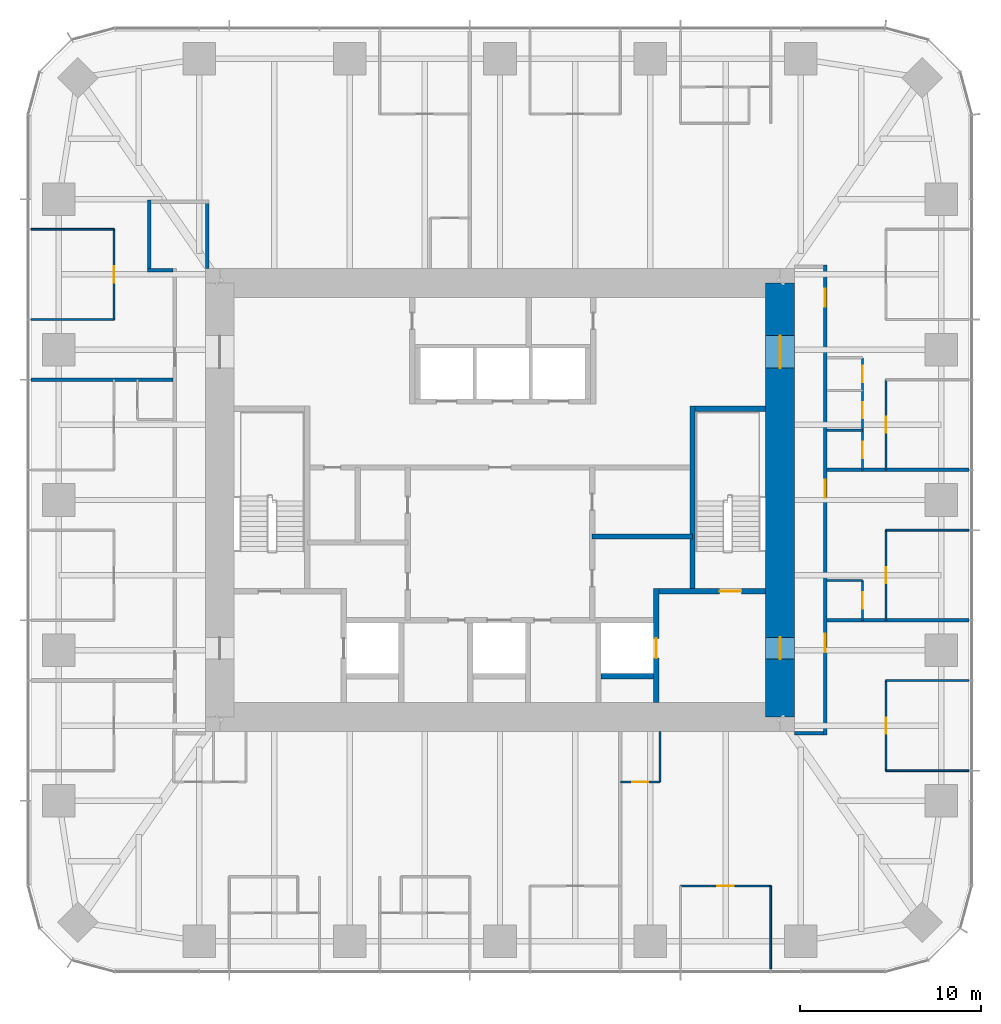
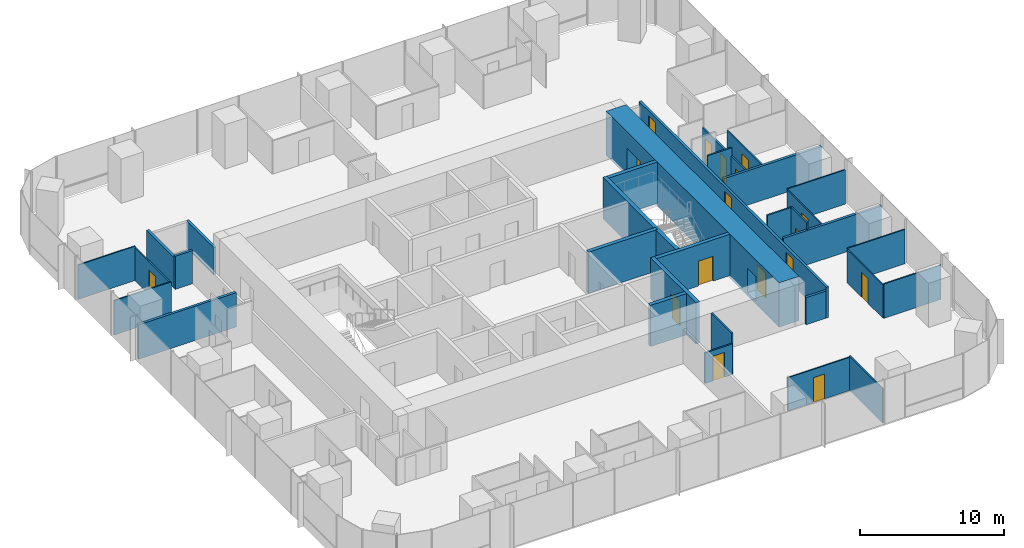
# One storey, part 10 of 12: 32 walls, 17 doors, 17 openings.
"""IFC4 building model written with IfcOpenShell, lengths in metres."""

from ifc_helpers import new_model, si_unit, direction, frame, frame_2d, origin, place, context, subcontext, project, spatial, rectangle, extrude, material, layer, layer_set, type_object, element, fill, save


model = new_model("IFC4")

# Units and contexts
model_context = context("Model", 3, precision=1e-05, world=origin(), true_north=direction((0.0, 1.0)))
body_context = subcontext(model_context, "Body", "Model", "MODEL_VIEW")
ifc_project = project(units=[si_unit("LENGTHUNIT", "METRE"), si_unit("AREAUNIT", "SQUARE_METRE"), si_unit("VOLUMEUNIT", "CUBIC_METRE"), si_unit("PLANEANGLEUNIT", "RADIAN"), si_unit("MASSUNIT", "GRAM", prefix="KILO")], contexts=[model_context])

# Site, building, storey
site_placement = place(None, origin())
site = spatial("IfcSite", under=ifc_project, at=site_placement, CompositionType="ELEMENT")
building_placement = place(site_placement, origin())
building = spatial("IfcBuilding", under=site, at=building_placement, Name="Khuree Lantern Residences", CompositionType="ELEMENT")
storey_placement = place(building_placement, frame((0.0, 0.0, 233.25)))
storey = spatial("IfcBuildingStorey", under=building, at=storey_placement, Name="L58", CompositionType="ELEMENT", Elevation=233.25)

# Wall, opening, door
ifc_material_1 = material(Name="Moisture-resistant gypsum board on steel studs", Category="steel")
ifc_layer_1 = layer(ifc_material_1, 0.125)
ifc_layer_set_1 = layer_set([ifc_layer_1], Name="BATHROOM WALL BTW125")
wall_type_1 = type_object("IfcWallType", Name="BATHROOM WALL BTW125", PredefinedType="PARTITIONING", material=ifc_layer_set_1)
wall_1_placement = place(storey_placement, frame((20.050048828125, -6.656005859375, 0.0), z_axis=(0.0, 0.0, 1.0), x_axis=(0.0, 1.0, 0.0)))
wall_1 = element("IfcWall", 1, at=wall_1_placement, inside=storey, type_object=wall_type_1, Name="L58 BATHROOM WALL 01", PredefinedType="PARTITIONING", context=body_context, shape_type="SweptSolid", body=[
    extrude(rectangle(XDim=2.199951171875, YDim=0.125, at=frame_2d((1.10009765625, 0.0))), origin(), (0.0, 0.0, 1.0), 3.5),
])
opening_1_placement = place(wall_1_placement, frame((0.64990234375, 0.0, 0.0)))
opening_1 = element("IfcOpeningElement", 2, at=opening_1_placement, cuts=wall_1, Name="Opening 58-024", PredefinedType="OPENING", context=body_context, shape_type="SweptSolid", body=[
    extrude(rectangle(XDim=0.89990234375, YDim=2.10009765625, at=frame_2d((0.449951171875, 1.050048828125))), frame((0.0, 0.072509765625, 0.0), z_axis=(0.0, -1.0, 0.0), x_axis=(1.0, 0.0, 0.0)), (0.0, 0.0, 1.0), 0.14501953125),
])
ifc_material_2 = material(Name="Timber door leaf in hardwood frame", Category="wood")
door_type_1 = type_object("IfcDoorType", Name="BATHROOM DOOR 900X2100", OperationType="SINGLE_SWING_LEFT", PredefinedType="DOOR", material=ifc_material_2)
door_1_placement = place(opening_1_placement, origin())
door_1 = element("IfcDoor", 3, at=door_1_placement, inside=storey, type_object=door_type_1, Name="Bathroom door 58-024", OperationType="SINGLE_SWING_LEFT", OverallHeight=2.10009765625, OverallWidth=0.89990234375, PredefinedType="DOOR", context=body_context, shape_type="SweptSolid", body=[
    extrude(rectangle(XDim=0.89990234375, YDim=2.10009765625, at=frame_2d((0.449951171875, 1.050048828125))), frame((0.0, 0.02490234375, 0.0), z_axis=(0.0, -1.0, 0.0), x_axis=(1.0, 0.0, 0.0)), (0.0, 0.0, 1.0), 0.050048828125),
])
fill(opening_1, door_1)

# Wall
wall_2_placement = place(storey_placement, frame((18.10009765625, -4.4560546875, 0.0), z_axis=(0.0, 0.0, 1.0), x_axis=(1.0, 0.0, 0.0)))
element("IfcWall", 4, at=wall_2_placement, inside=storey, type_object=wall_type_1, Name="L58 BATHROOM WALL 01", PredefinedType="PARTITIONING", context=body_context, shape_type="SweptSolid", body=[
    extrude(rectangle(XDim=1.949951171875, YDim=0.125, at=frame_2d((0.97509765625, 0.0))), origin(), (0.0, 0.0, 1.0), 3.5),
])

# Wall, openings, doors
wall_3_placement = place(storey_placement, frame((20.050048828125, 1.6640625, 0.0), z_axis=(0.0, 0.0, 1.0), x_axis=(0.0, 1.0, 0.0)))
wall_3 = element("IfcWall", 5, at=wall_3_placement, inside=storey, type_object=wall_type_1, Name="L58 BATHROOM WALL 02", PredefinedType="PARTITIONING", context=body_context, shape_type="SweptSolid", body=[
    extrude(rectangle(XDim=6.199951171875, YDim=0.125, at=frame_2d((3.10009765625, 0.0))), origin(), (0.0, 0.0, 1.0), 2.81005859375),
])
opening_2_placement = place(wall_3_placement, frame((0.64990234375, 0.0, 0.0)))
opening_2 = element("IfcOpeningElement", 6, at=opening_2_placement, cuts=wall_3, Name="Opening 58-031", PredefinedType="OPENING", context=body_context, shape_type="SweptSolid", body=[
    extrude(rectangle(XDim=0.89990234375, YDim=2.10009765625, at=frame_2d((0.449951171875, 1.050048828125))), frame((0.0, 0.072509765625, 0.0), z_axis=(0.0, -1.0, 0.0), x_axis=(1.0, 0.0, 0.0)), (0.0, 0.0, 1.0), 0.14501953125),
])
opening_3_placement = place(wall_3_placement, frame((2.85009765625, 0.0, 0.0)))
opening_3 = element("IfcOpeningElement", 7, at=opening_3_placement, cuts=wall_3, Name="Opening 58-032", PredefinedType="OPENING", context=body_context, shape_type="SweptSolid", body=[
    extrude(rectangle(XDim=0.89990234375, YDim=2.10009765625, at=frame_2d((0.449951171875, 1.050048828125))), frame((0.0, 0.072509765625, 0.0), z_axis=(0.0, -1.0, 0.0), x_axis=(1.0, 0.0, 0.0)), (0.0, 0.0, 1.0), 0.14501953125),
])
opening_4_placement = place(wall_3_placement, frame((4.85009765625, 0.0, 0.0)))
opening_4 = element("IfcOpeningElement", 8, at=opening_4_placement, cuts=wall_3, Name="Opening 58-033", PredefinedType="OPENING", context=body_context, shape_type="SweptSolid", body=[
    extrude(rectangle(XDim=0.89990234375, YDim=2.10009765625, at=frame_2d((0.449951171875, 1.050048828125))), frame((0.0, 0.072509765625, 0.0), z_axis=(0.0, -1.0, 0.0), x_axis=(1.0, 0.0, 0.0)), (0.0, 0.0, 1.0), 0.14501953125),
])
door_2_placement = place(opening_2_placement, origin())
door_2 = element("IfcDoor", 9, at=door_2_placement, inside=storey, type_object=door_type_1, Name="Bathroom door 58-031", OperationType="SINGLE_SWING_LEFT", OverallHeight=2.10009765625, OverallWidth=0.89990234375, PredefinedType="DOOR", context=body_context, shape_type="SweptSolid", body=[
    extrude(rectangle(XDim=0.89990234375, YDim=2.10009765625, at=frame_2d((0.449951171875, 1.050048828125))), frame((0.0, 0.02490234375, 0.0), z_axis=(0.0, -1.0, 0.0), x_axis=(1.0, 0.0, 0.0)), (0.0, 0.0, 1.0), 0.050048828125),
])
fill(opening_2, door_2)
door_3_placement = place(opening_3_placement, origin())
door_3 = element("IfcDoor", 10, at=door_3_placement, inside=storey, type_object=door_type_1, Name="Bathroom door 58-032", OperationType="SINGLE_SWING_LEFT", OverallHeight=2.10009765625, OverallWidth=0.89990234375, PredefinedType="DOOR", context=body_context, shape_type="SweptSolid", body=[
    extrude(rectangle(XDim=0.89990234375, YDim=2.10009765625, at=frame_2d((0.449951171875, 1.050048828125))), frame((0.0, 0.02490234375, 0.0), z_axis=(0.0, -1.0, 0.0), x_axis=(1.0, 0.0, 0.0)), (0.0, 0.0, 1.0), 0.050048828125),
])
fill(opening_3, door_3)
door_type_2 = type_object("IfcDoorType", Name="DOOR 900X2100", OperationType="SINGLE_SWING_LEFT", PredefinedType="DOOR", material=ifc_material_2)
door_4_placement = place(opening_4_placement, origin())
door_4 = element("IfcDoor", 11, at=door_4_placement, inside=storey, type_object=door_type_2, Name="Store door 58-033", OperationType="SINGLE_SWING_LEFT", OverallHeight=2.10009765625, OverallWidth=0.89990234375, PredefinedType="DOOR", context=body_context, shape_type="SweptSolid", body=[
    extrude(rectangle(XDim=0.89990234375, YDim=2.10009765625, at=frame_2d((0.449951171875, 1.050048828125))), frame((0.0, 0.02490234375, 0.0), z_axis=(0.0, -1.0, 0.0), x_axis=(1.0, 0.0, 0.0)), (0.0, 0.0, 1.0), 0.050048828125),
])
fill(opening_4, door_4)

# Wall
wall_4_placement = place(storey_placement, frame((18.10009765625, 3.864013671875, 0.0), z_axis=(0.0, 0.0, 1.0), x_axis=(1.0, 0.0, 0.0)))
element("IfcWall", 12, at=wall_4_placement, inside=storey, type_object=wall_type_1, Name="L58 BATHROOM WALL 02", PredefinedType="PARTITIONING", context=body_context, shape_type="SweptSolid", body=[
    extrude(rectangle(XDim=1.949951171875, YDim=0.125, at=frame_2d((0.97509765625, 0.0))), origin(), (0.0, 0.0, 1.0), 3.5),
])

# Wall, opening, door
wall_5_placement = place(storey_placement, frame((6.656005859375, -15.60009765625, 0.0), z_axis=(0.0, 0.0, 1.0), x_axis=(1.0, 0.0, 0.0)))
wall_5 = element("IfcWall", 13, at=wall_5_placement, inside=storey, type_object=wall_type_1, Name="L58 BATHROOM WALL 06", PredefinedType="PARTITIONING", context=body_context, shape_type="SweptSolid", body=[
    extrude(rectangle(XDim=2.199951171875, YDim=0.125, at=frame_2d((1.10009765625, 0.0))), origin(), (0.0, 0.0, 1.0), 2.60009765625),
])
opening_5_placement = place(wall_5_placement, frame((0.64990234375, 0.0, 0.0)))
opening_5 = element("IfcOpeningElement", 14, at=opening_5_placement, cuts=wall_5, Name="Opening 58-054", PredefinedType="OPENING", context=body_context, shape_type="SweptSolid", body=[
    extrude(rectangle(XDim=0.89990234375, YDim=2.10009765625, at=frame_2d((0.449951171875, 1.050048828125))), frame((0.0, 0.072509765625, 0.0), z_axis=(0.0, -1.0, 0.0), x_axis=(1.0, 0.0, 0.0)), (0.0, 0.0, 1.0), 0.14501953125),
])
door_5_placement = place(opening_5_placement, origin())
door_5 = element("IfcDoor", 15, at=door_5_placement, inside=storey, type_object=door_type_1, Name="Bathroom door 58-054", OperationType="SINGLE_SWING_LEFT", OverallHeight=2.10009765625, OverallWidth=0.89990234375, PredefinedType="DOOR", context=body_context, shape_type="SweptSolid", body=[
    extrude(rectangle(XDim=0.89990234375, YDim=2.10009765625, at=frame_2d((0.449951171875, 1.050048828125))), frame((0.0, 0.02490234375, 0.0), z_axis=(0.0, -1.0, 0.0), x_axis=(1.0, 0.0, 0.0)), (0.0, 0.0, 1.0), 0.050048828125),
])
fill(opening_5, door_5)

# Wall
wall_6_placement = place(storey_placement, frame((8.85595703125, -12.800048828125, 0.0), z_axis=(0.0, 0.0, 1.0), x_axis=(0.0, -1.0, 0.0)))
element("IfcWall", 16, at=wall_6_placement, inside=storey, type_object=wall_type_1, Name="L58 BATHROOM WALL 06", PredefinedType="PARTITIONING", context=body_context, shape_type="SweptSolid", body=[
    extrude(rectangle(XDim=2.800048828125, YDim=0.125, at=frame_2d((1.39990234375, 0.0))), origin(), (0.0, 0.0, 1.0), 3.5),
])

# Wall, opening, door
ifc_material_3 = material(Name="Dense concrete blockwork", Category="masonry")
ifc_layer_2 = layer(ifc_material_3, 0.300048828125)
ifc_layer_set_2 = layer_set([ifc_layer_2], Name="CORE PARTITION WALL CPW300 EI 120")
wall_type_2 = type_object("IfcWallType", Name="CORE PARTITION WALL CPW300 EI 120", PredefinedType="PARTITIONING", material=ifc_layer_set_2)
wall_7_placement = place(storey_placement, frame((8.64990234375, -11.199951171875, 0.0), z_axis=(0.0, 0.0, 1.0), x_axis=(0.0, 1.0, 0.0)))
wall_7 = element("IfcWall", 17, at=wall_7_placement, inside=storey, type_object=wall_type_2, Name="L58 CORE WALL FL2E", PredefinedType="PARTITIONING", context=body_context, shape_type="SweptSolid", body=[
    extrude(rectangle(XDim=6.300048828125, YDim=0.300048828125, at=frame_2d((3.14990234375, 0.0))), origin(), (0.0, 0.0, 1.0), 3.5),
])
opening_6_placement = place(wall_7_placement, frame((2.449951171875, 0.0, 0.0)))
opening_6 = element("IfcOpeningElement", 18, at=opening_6_placement, cuts=wall_7, Name="Opening 58-008", PredefinedType="OPENING", context=body_context, shape_type="SweptSolid", body=[
    extrude(rectangle(XDim=1.10009765625, YDim=2.10009765625, at=frame_2d((0.550048828125, 1.050048828125))), frame((0.0, 0.16015625, 0.0), z_axis=(0.0, -1.0, 0.0), x_axis=(1.0, 0.0, 0.0)), (0.0, 0.0, 1.0), 0.320068359375),
])
ifc_material_4 = material(Name="Stainless steel lift landing door", Category="steel")
door_type_3 = type_object("IfcDoorType", Name="LIFT LANDING DOOR 1100X2100 E 120", OperationType="DOUBLE_DOOR_SLIDING", PredefinedType="DOOR", material=ifc_material_4)
door_6_placement = place(opening_6_placement, origin())
door_6 = element("IfcDoor", 19, at=door_6_placement, inside=storey, type_object=door_type_3, Name="Landing door FL2 58-008", OperationType="DOUBLE_DOOR_SLIDING", OverallHeight=2.10009765625, OverallWidth=1.10009765625, PredefinedType="DOOR", context=body_context, shape_type="SweptSolid", body=[
    extrude(rectangle(XDim=1.10009765625, YDim=2.10009765625, at=frame_2d((0.550048828125, 1.050048828125))), frame((0.0, 0.02490234375, 0.0), z_axis=(0.0, -1.0, 0.0), x_axis=(1.0, 0.0, 0.0)), (0.0, 0.0, 1.0), 0.050048828125),
])
fill(opening_6, door_6)

# Walls
wall_8_placement = place(storey_placement, frame((5.60009765625, -9.75, 0.0), z_axis=(0.0, 0.0, 1.0), x_axis=(1.0, 0.0, 0.0)))
element("IfcWall", 20, at=wall_8_placement, inside=storey, type_object=wall_type_2, Name="L58 CORE WALL FL2S", PredefinedType="PARTITIONING", context=body_context, shape_type="SweptSolid", body=[
    extrude(rectangle(XDim=2.89990234375, YDim=0.300048828125, at=frame_2d((1.449951171875, 0.0))), origin(), (0.0, 0.0, 1.0), 3.5),
])
wall_9_placement = place(storey_placement, frame((10.64990234375, -2.01806640625, 0.0), z_axis=(0.0, 0.0, 1.0), x_axis=(-1.0, 0.0, 0.0)))
element("IfcWall", 21, at=wall_9_placement, inside=storey, type_object=wall_type_2, Name="L58 CORE WALL EX", PredefinedType="PARTITIONING", context=body_context, shape_type="SweptSolid", body=[
    extrude(rectangle(XDim=5.5498046875, YDim=0.300048828125, at=frame_2d((2.77490234375, 0.0))), origin(), (0.0, 0.0, 1.0), 3.5),
])
ifc_material_5 = material(Name="Gypsum board on steel studs", Category="steel")
ifc_layer_3 = layer(ifc_material_5, 0.199951171875)
ifc_layer_set_3 = layer_set([ifc_layer_3], Name="CORRIDOR WALL CRW200 EI 60")
wall_type_3 = type_object("IfcWallType", Name="CORRIDOR WALL CRW200 EI 60", PredefinedType="PARTITIONING", material=ifc_layer_set_3)
wall_10_placement = place(storey_placement, frame((-18.10009765625, 12.699951171875, 0.0), z_axis=(0.0, 0.0, 1.0), x_axis=(-1.0, 0.0, 0.0)))
element("IfcWall", 22, at=wall_10_placement, inside=storey, type_object=wall_type_3, Name="L58 RESIDENTS LOUNGE WALL", PredefinedType="PARTITIONING", context=body_context, shape_type="SweptSolid", body=[
    extrude(rectangle(XDim=1.39990234375, YDim=0.199951171875, at=frame_2d((0.699951171875, 0.0))), origin(), (0.0, 0.0, 1.0), 2.81005859375),
])
wall_11_placement = place(storey_placement, frame((-19.39990234375, 12.60009765625, 0.0), z_axis=(0.0, 0.0, 1.0), x_axis=(0.0, 1.0, 0.0)))
element("IfcWall", 23, at=wall_11_placement, inside=storey, type_object=wall_type_3, Name="L58 RESIDENTS LOUNGE WALL", PredefinedType="PARTITIONING", context=body_context, shape_type="SweptSolid", body=[
    extrude(rectangle(XDim=4.0, YDim=0.199951171875, at=frame_2d((2.0, 0.0))), origin(), (0.0, 0.0, 1.0), 2.60009765625),
])
wall_12_placement = place(storey_placement, frame((-16.199951171875, 16.60009765625, 0.0), z_axis=(0.0, 0.0, 1.0), x_axis=(0.0, -1.0, 0.0)))
element("IfcWall", 24, at=wall_12_placement, inside=storey, type_object=wall_type_3, Name="L58 RESIDENTS LOUNGE WALL", PredefinedType="PARTITIONING", context=body_context, shape_type="SweptSolid", body=[
    extrude(rectangle(XDim=3.800048828125, YDim=0.199951171875, at=frame_2d((1.89990234375, 0.0))), origin(), (0.0, 0.0, 1.0), 2.300048828125),
])
wall_13_placement = place(storey_placement, frame((16.300048828125, -12.89990234375, 0.0), z_axis=(0.0, 0.0, 1.0), x_axis=(1.0, 0.0, 0.0)))
element("IfcWall", 25, at=wall_13_placement, inside=storey, type_object=wall_type_3, Name="L58 EAST CORRIDOR SOUTH END WALL", PredefinedType="PARTITIONING", context=body_context, shape_type="SweptSolid", body=[
    extrude(rectangle(XDim=1.599853515625, YDim=0.199951171875, at=frame_2d((0.7998046875, 0.0))), origin(), (0.0, 0.0, 1.0), 2.300048828125),
])

# Wall, openings, doors
wall_14_placement = place(storey_placement, frame((18.0, -13.0, 0.0), z_axis=(0.0, 0.0, 1.0), x_axis=(0.0, 1.0, 0.0)))
wall_14 = element("IfcWall", 26, at=wall_14_placement, inside=storey, type_object=wall_type_3, Name="L58 CORRIDOR WALL EAST 1", PredefinedType="PARTITIONING", context=body_context, shape_type="SweptSolid", body=[
    extrude(rectangle(XDim=26.0, YDim=0.199951171875, at=frame_2d((13.0, 0.0))), origin(), (0.0, 0.0, 1.0), 2.60009765625),
])
opening_7_placement = place(wall_14_placement, frame((13.114013671875, 0.0, 0.0)))
opening_7 = element("IfcOpeningElement", 27, at=opening_7_placement, cuts=wall_14, Name="Opening 58-025", PredefinedType="OPENING", context=body_context, shape_type="SweptSolid", body=[
    extrude(rectangle(XDim=1.0, YDim=2.199951171875, at=frame_2d((0.5, 1.10009765625))), frame((0.0, 0.10986328125, 0.0), z_axis=(0.0, -1.0, 0.0), x_axis=(1.0, 0.0, 0.0)), (0.0, 0.0, 1.0), 0.219970703125),
])
opening_8_placement = place(wall_14_placement, frame((23.68408203125, 0.0, 0.0)))
opening_8 = element("IfcOpeningElement", 28, at=opening_8_placement, cuts=wall_14, Name="Opening 58-034", PredefinedType="OPENING", context=body_context, shape_type="SweptSolid", body=[
    extrude(rectangle(XDim=1.0, YDim=2.199951171875, at=frame_2d((0.5, 1.10009765625))), frame((0.0, 0.10986328125, 0.0), z_axis=(0.0, -1.0, 0.0), x_axis=(1.0, 0.0, 0.0)), (0.0, 0.0, 1.0), 0.219970703125),
])
opening_9_placement = place(wall_14_placement, frame((4.60009765625, 0.0, 0.0)))
opening_9 = element("IfcOpeningElement", 29, at=opening_9_placement, cuts=wall_14, Name="Opening 58-055", PredefinedType="OPENING", context=body_context, shape_type="SweptSolid", body=[
    extrude(rectangle(XDim=1.0, YDim=2.199951171875, at=frame_2d((0.5, 1.10009765625))), frame((0.0, 0.10986328125, 0.0), z_axis=(0.0, -1.0, 0.0), x_axis=(1.0, 0.0, 0.0)), (0.0, 0.0, 1.0), 0.219970703125),
])
door_type_4 = type_object("IfcDoorType", Name="APARTMENT ENTRANCE DOOR 1000X2200 EI 30S", OperationType="SINGLE_SWING_LEFT", PredefinedType="DOOR", material=ifc_material_2)
door_7_placement = place(opening_7_placement, origin())
door_7 = element("IfcDoor", 30, at=door_7_placement, inside=storey, type_object=door_type_4, Name="Apartment 01 entrance door 58-025", OperationType="SINGLE_SWING_LEFT", OverallHeight=2.199951171875, OverallWidth=1.0, PredefinedType="DOOR", context=body_context, shape_type="SweptSolid", body=[
    extrude(rectangle(XDim=1.0, YDim=2.199951171875, at=frame_2d((0.5, 1.10009765625))), frame((0.0, 0.02490234375, 0.0), z_axis=(0.0, -1.0, 0.0), x_axis=(1.0, 0.0, 0.0)), (0.0, 0.0, 1.0), 0.050048828125),
])
fill(opening_7, door_7)
door_8_placement = place(opening_9_placement, origin())
door_8 = element("IfcDoor", 31, at=door_8_placement, inside=storey, type_object=door_type_4, Name="Apartment 06 entrance door 58-055", OperationType="SINGLE_SWING_LEFT", OverallHeight=2.199951171875, OverallWidth=1.0, PredefinedType="DOOR", context=body_context, shape_type="SweptSolid", body=[
    extrude(rectangle(XDim=1.0, YDim=2.199951171875, at=frame_2d((0.5, 1.10009765625))), frame((0.0, 0.02490234375, 0.0), z_axis=(0.0, -1.0, 0.0), x_axis=(1.0, 0.0, 0.0)), (0.0, 0.0, 1.0), 0.050048828125),
])
fill(opening_9, door_8)
door_type_5 = type_object("IfcDoorType", Name="APARTMENT ENTRANCE DOOR 1000X2200 EI 30S RIGHT HAND", OperationType="SINGLE_SWING_RIGHT", PredefinedType="DOOR", material=ifc_material_2)
door_9_placement = place(opening_8_placement, origin())
door_9 = element("IfcDoor", 32, at=door_9_placement, inside=storey, type_object=door_type_5, Name="Apartment 02 entrance door 58-034", OperationType="SINGLE_SWING_RIGHT", OverallHeight=2.199951171875, OverallWidth=1.0, PredefinedType="DOOR", context=body_context, shape_type="SweptSolid", body=[
    extrude(rectangle(XDim=1.0, YDim=2.199951171875, at=frame_2d((0.5, 1.10009765625))), frame((0.0, 0.02490234375, 0.0), z_axis=(0.0, -1.0, 0.0), x_axis=(1.0, 0.0, 0.0)), (0.0, 0.0, 1.0), 0.050048828125),
])
fill(opening_8, door_9)

ifc_material_6 = material(Name="Concrete C50/60", Category="concrete")
ifc_layer_4 = layer(ifc_material_6, 1.60009765625)
ifc_layer_set_4 = layer_set([ifc_layer_4], Name="CW1600-C50 CORE WALL C50 1600")
wall_type_4 = type_object("IfcWallType", Name="CW1600-C50 CORE WALL C50 1600", PredefinedType="SHEAR", material=ifc_layer_set_4)
wall_15_placement = place(storey_placement, frame((15.5, -12.0, -0.25), z_axis=(0.0, 0.0, 1.0), x_axis=(0.0, 1.0, 0.0)))
wall_15 = element("IfcWall", 33, at=wall_15_placement, inside=storey, type_object=wall_type_4, Name="Core wall E", PredefinedType="SHEAR", context=body_context, shape_type="SweptSolid", body=[
    extrude(rectangle(XDim=24.0, YDim=1.60009765625, at=frame_2d((12.0, 0.0))), origin(), (0.0, 0.0, 1.0), 3.75),
])
opening_10_placement = place(wall_15_placement, frame((3.199951171875, 0.0, 0.25)))
opening_10 = element("IfcOpeningElement", 34, at=opening_10_placement, cuts=wall_15, Name="Opening 58-005", PredefinedType="OPENING", context=body_context, shape_type="SweptSolid", body=[
    extrude(rectangle(XDim=1.199951171875, YDim=2.10009765625, at=frame_2d((0.60009765625, 1.050048828125))), frame((0.0, 0.81005859375, 0.0), z_axis=(0.0, -1.0, 0.0), x_axis=(1.0, 0.0, 0.0)), (0.0, 0.0, 1.0), 1.6201171875),
])
opening_11_placement = place(wall_15_placement, frame((19.300048828125, 0.0, 0.25)))
opening_11 = element("IfcOpeningElement", 35, at=opening_11_placement, cuts=wall_15, Name="Opening 58-006", PredefinedType="OPENING", context=body_context, shape_type="SweptSolid", body=[
    extrude(rectangle(XDim=1.800048828125, YDim=2.10009765625, at=frame_2d((0.89990234375, 1.050048828125))), frame((0.0, 0.81005859375, 0.0), z_axis=(0.0, -1.0, 0.0), x_axis=(1.0, 0.0, 0.0)), (0.0, 0.0, 1.0), 1.6201171875),
])
ifc_material_7 = material(Name="Steel door leaf in steel frame", Category="steel")
door_type_6 = type_object("IfcDoorType", Name="LOBBY DOOR 1200X2100 EI 120", OperationType="SINGLE_SWING_LEFT", PredefinedType="DOOR", material=ifc_material_7)
door_10_placement = place(opening_10_placement, origin())
door_10 = element("IfcDoor", 36, at=door_10_placement, inside=storey, type_object=door_type_6, Name="Firefighting lobby door 58-005", OperationType="SINGLE_SWING_LEFT", OverallHeight=2.10009765625, OverallWidth=1.199951171875, PredefinedType="DOOR", context=body_context, shape_type="SweptSolid", body=[
    extrude(rectangle(XDim=1.199951171875, YDim=2.10009765625, at=frame_2d((0.60009765625, 1.050048828125))), frame((0.0, 0.02490234375, 0.0), z_axis=(0.0, -1.0, 0.0), x_axis=(1.0, 0.0, 0.0)), (0.0, 0.0, 1.0), 0.050048828125),
])
fill(opening_10, door_10)
door_type_7 = type_object("IfcDoorType", Name="LOBBY DOUBLE DOOR 1800X2100 EI 60", OperationType="DOUBLE_DOOR_SINGLE_SWING", PredefinedType="DOOR", material=ifc_material_7)
door_11_placement = place(opening_11_placement, origin())
door_11 = element("IfcDoor", 37, at=door_11_placement, inside=storey, type_object=door_type_7, Name="Lift lobby door 58-006", OperationType="DOUBLE_DOOR_SINGLE_SWING", OverallHeight=2.10009765625, OverallWidth=1.800048828125, PredefinedType="DOOR", context=body_context, shape_type="SweptSolid", body=[
    extrude(rectangle(XDim=1.800048828125, YDim=2.10009765625, at=frame_2d((0.89990234375, 1.050048828125))), frame((0.0, 0.02490234375, 0.0), z_axis=(0.0, -1.0, 0.0), x_axis=(1.0, 0.0, 0.0)), (0.0, 0.0, 1.0), 0.050048828125),
])
fill(opening_11, door_11)

# Walls
ifc_layer_5 = layer(ifc_material_5, 0.199951171875)
ifc_layer_set_5 = layer_set([ifc_layer_5], Name="DEMISING WALL DMW200 EI 90")
wall_type_5 = type_object("IfcWallType", Name="DEMISING WALL DMW200 EI 90", PredefinedType="PARTITIONING", material=ifc_layer_set_5)
for number, where, z_axis, x_axis, name in (
    (38, (18.10009765625, -6.656005859375, 0.0), (0.0, 0.0, 1.0), (1.0, 0.0, 0.0), "L58 DEMISING WALL 01"),
    (39, (18.10009765625, 1.6640625, 0.0), (0.0, 0.0, 1.0), (1.0, 0.0, 0.0), "L58 DEMISING WALL 02"),
    (40, (-18.10009765625, 6.656005859375, 0.0), (0.0, 0.0, 1.0), (-1.0, 0.0, 0.0), "L58 DEMISING WALL 04"),
):
    element("IfcWall", number, at=place(storey_placement, frame(where, z_axis=z_axis, x_axis=x_axis)), inside=storey, type_object=wall_type_5, Name=name, PredefinedType="PARTITIONING", context=body_context, shape_type="SweptSolid", body=[
        extrude(rectangle(XDim=7.849853515625, YDim=0.199951171875, at=frame_2d((3.9248046875, 0.0))), origin(), (0.0, 0.0, 1.0), 2.909912109375),
    ])
ifc_layer_6 = layer(ifc_material_5, 0.10009765625)
ifc_layer_set_6 = layer_set([ifc_layer_6], Name="PARTITION PT100")
wall_type_6 = type_object("IfcWallType", Name="PARTITION PT100", PredefinedType="PARTITIONING", material=ifc_layer_set_6)
for number, where, z_axis, x_axis, name in (
    (41, (21.35009765625, -1.6640625, 0.0), (0.0, 0.0, 1.0), (1.0, 0.0, 0.0), "L58 PARTITION 01"),
    (42, (-21.35009765625, 14.97607421875, 0.0), (0.0, 0.0, 1.0), (-1.0, 0.0, 0.0), "L58 PARTITION 03"),
    (43, (-21.35009765625, 9.98388671875, 0.0), (0.0, 0.0, 1.0), (-1.0, 0.0, 0.0), "L58 PARTITION 03"),
    (44, (14.97607421875, -21.35009765625, 0.0), (0.0, 0.0, 1.0), (0.0, -1.0, 0.0), "L58 PARTITION 06"),
    (45, (21.35009765625, -14.97607421875, 0.0), (0.0, 0.0, 1.0), (1.0, 0.0, 0.0), "L58 PARTITION 06"),
    (46, (21.35009765625, -9.98388671875, 0.0), (0.0, 0.0, 1.0), (1.0, 0.0, 0.0), "L58 PARTITION 06"),
):
    element("IfcWall", number, at=place(storey_placement, frame(where, z_axis=z_axis, x_axis=x_axis)), inside=storey, type_object=wall_type_6, Name=name, PredefinedType="PARTITIONING", context=body_context, shape_type="SweptSolid", body=[
        extrude(rectangle(XDim=4.599853515625, YDim=0.10009765625, at=frame_2d((2.2998046875, 0.0))), origin(), (0.0, 0.0, 1.0), 2.909912109375),
    ])

# Wall, opening, door
wall_16_placement = place(storey_placement, frame((21.35009765625, -6.656005859375, 0.0), z_axis=(0.0, 0.0, 1.0), x_axis=(0.0, 1.0, 0.0)))
wall_16 = element("IfcWall", 47, at=wall_16_placement, inside=storey, type_object=wall_type_6, Name="L58 PARTITION 01", PredefinedType="PARTITIONING", context=body_context, shape_type="SweptSolid", body=[
    extrude(rectangle(XDim=4.991943359375, YDim=0.10009765625, at=frame_2d((2.49609375, 0.0))), origin(), (0.0, 0.0, 1.0), 2.81005859375),
])
opening_12_placement = place(wall_16_placement, frame((2.0458984375, 0.0, 0.0)))
opening_12 = element("IfcOpeningElement", 48, at=opening_12_placement, cuts=wall_16, Name="Opening 58-023", PredefinedType="OPENING", context=body_context, shape_type="SweptSolid", body=[
    extrude(rectangle(XDim=0.89990234375, YDim=2.10009765625, at=frame_2d((0.449951171875, 1.050048828125))), frame((0.0, 0.06005859375, 0.0), z_axis=(0.0, -1.0, 0.0), x_axis=(1.0, 0.0, 0.0)), (0.0, 0.0, 1.0), 0.1201171875),
])
door_type_8 = type_object("IfcDoorType", Name="BEDROOM DOOR 900X2100", OperationType="SINGLE_SWING_LEFT", PredefinedType="DOOR", material=ifc_material_2)
door_12_placement = place(opening_12_placement, origin())
door_12 = element("IfcDoor", 49, at=door_12_placement, inside=storey, type_object=door_type_8, Name="Bedroom door 58-023", OperationType="SINGLE_SWING_LEFT", OverallHeight=2.10009765625, OverallWidth=0.89990234375, PredefinedType="DOOR", context=body_context, shape_type="SweptSolid", body=[
    extrude(rectangle(XDim=0.89990234375, YDim=2.10009765625, at=frame_2d((0.449951171875, 1.050048828125))), frame((0.0, 0.02490234375, 0.0), z_axis=(0.0, -1.0, 0.0), x_axis=(1.0, 0.0, 0.0)), (0.0, 0.0, 1.0), 0.050048828125),
])
fill(opening_12, door_12)

wall_17_placement = place(storey_placement, frame((21.35009765625, 1.6640625, 0.0), z_axis=(0.0, 0.0, 1.0), x_axis=(0.0, 1.0, 0.0)))
wall_17 = element("IfcWall", 50, at=wall_17_placement, inside=storey, type_object=wall_type_6, Name="L58 PARTITION 02", PredefinedType="PARTITIONING", context=body_context, shape_type="SweptSolid", body=[
    extrude(rectangle(XDim=4.991943359375, YDim=0.10009765625, at=frame_2d((2.49609375, 0.0))), origin(), (0.0, 0.0, 1.0), 2.81005859375),
])
opening_13_placement = place(wall_17_placement, frame((2.0458984375, 0.0, 0.0)))
opening_13 = element("IfcOpeningElement", 51, at=opening_13_placement, cuts=wall_17, Name="Opening 58-026", PredefinedType="OPENING", context=body_context, shape_type="SweptSolid", body=[
    extrude(rectangle(XDim=0.89990234375, YDim=2.10009765625, at=frame_2d((0.449951171875, 1.050048828125))), frame((0.0, 0.06005859375, 0.0), z_axis=(0.0, -1.0, 0.0), x_axis=(1.0, 0.0, 0.0)), (0.0, 0.0, 1.0), 0.1201171875),
])
door_13_placement = place(opening_13_placement, origin())
door_13 = element("IfcDoor", 52, at=door_13_placement, inside=storey, type_object=door_type_8, Name="Bedroom door 58-026", OperationType="SINGLE_SWING_LEFT", OverallHeight=2.10009765625, OverallWidth=0.89990234375, PredefinedType="DOOR", context=body_context, shape_type="SweptSolid", body=[
    extrude(rectangle(XDim=0.89990234375, YDim=2.10009765625, at=frame_2d((0.449951171875, 1.050048828125))), frame((0.0, 0.02490234375, 0.0), z_axis=(0.0, -1.0, 0.0), x_axis=(1.0, 0.0, 0.0)), (0.0, 0.0, 1.0), 0.050048828125),
])
fill(opening_13, door_13)

wall_18_placement = place(storey_placement, frame((-21.35009765625, 14.97607421875, 0.0), z_axis=(0.0, 0.0, 1.0), x_axis=(0.0, -1.0, 0.0)))
wall_18 = element("IfcWall", 53, at=wall_18_placement, inside=storey, type_object=wall_type_6, Name="L58 PARTITION 03", PredefinedType="PARTITIONING", context=body_context, shape_type="SweptSolid", body=[
    extrude(rectangle(XDim=4.9921875, YDim=0.10009765625, at=frame_2d((2.49609375, 0.0))), origin(), (0.0, 0.0, 1.0), 2.81005859375),
])
opening_14_placement = place(wall_18_placement, frame((2.0458984375, 0.0, 0.0)))
opening_14 = element("IfcOpeningElement", 54, at=opening_14_placement, cuts=wall_18, Name="Opening 58-036", PredefinedType="OPENING", context=body_context, shape_type="SweptSolid", body=[
    extrude(rectangle(XDim=0.89990234375, YDim=2.10009765625, at=frame_2d((0.449951171875, 1.050048828125))), frame((0.0, 0.06005859375, 0.0), z_axis=(0.0, -1.0, 0.0), x_axis=(1.0, 0.0, 0.0)), (0.0, 0.0, 1.0), 0.1201171875),
])
door_14_placement = place(opening_14_placement, origin())
door_14 = element("IfcDoor", 55, at=door_14_placement, inside=storey, type_object=door_type_8, Name="Bedroom door 58-036", OperationType="SINGLE_SWING_LEFT", OverallHeight=2.10009765625, OverallWidth=0.89990234375, PredefinedType="DOOR", context=body_context, shape_type="SweptSolid", body=[
    extrude(rectangle(XDim=0.89990234375, YDim=2.10009765625, at=frame_2d((0.449951171875, 1.050048828125))), frame((0.0, 0.02490234375, 0.0), z_axis=(0.0, -1.0, 0.0), x_axis=(1.0, 0.0, 0.0)), (0.0, 0.0, 1.0), 0.050048828125),
])
fill(opening_14, door_14)

wall_19_placement = place(storey_placement, frame((9.98388671875, -21.35009765625, 0.0), z_axis=(0.0, 0.0, 1.0), x_axis=(1.0, 0.0, 0.0)))
wall_19 = element("IfcWall", 56, at=wall_19_placement, inside=storey, type_object=wall_type_6, Name="L58 PARTITION 06", PredefinedType="PARTITIONING", context=body_context, shape_type="SweptSolid", body=[
    extrude(rectangle(XDim=4.9921875, YDim=0.10009765625, at=frame_2d((2.49609375, 0.0))), origin(), (0.0, 0.0, 1.0), 2.81005859375),
])
opening_15_placement = place(wall_19_placement, frame((2.0458984375, 0.0, 0.0)))
opening_15 = element("IfcOpeningElement", 57, at=opening_15_placement, cuts=wall_19, Name="Opening 58-052", PredefinedType="OPENING", context=body_context, shape_type="SweptSolid", body=[
    extrude(rectangle(XDim=0.89990234375, YDim=2.10009765625, at=frame_2d((0.449951171875, 1.050048828125))), frame((0.0, 0.06005859375, 0.0), z_axis=(0.0, -1.0, 0.0), x_axis=(1.0, 0.0, 0.0)), (0.0, 0.0, 1.0), 0.1201171875),
])
door_15_placement = place(opening_15_placement, origin())
door_15 = element("IfcDoor", 58, at=door_15_placement, inside=storey, type_object=door_type_8, Name="Bedroom door 58-052", OperationType="SINGLE_SWING_LEFT", OverallHeight=2.10009765625, OverallWidth=0.89990234375, PredefinedType="DOOR", context=body_context, shape_type="SweptSolid", body=[
    extrude(rectangle(XDim=0.89990234375, YDim=2.10009765625, at=frame_2d((0.449951171875, 1.050048828125))), frame((0.0, 0.02490234375, 0.0), z_axis=(0.0, -1.0, 0.0), x_axis=(1.0, 0.0, 0.0)), (0.0, 0.0, 1.0), 0.050048828125),
])
fill(opening_15, door_15)

wall_20_placement = place(storey_placement, frame((21.35009765625, -14.97607421875, 0.0), z_axis=(0.0, 0.0, 1.0), x_axis=(0.0, 1.0, 0.0)))
wall_20 = element("IfcWall", 59, at=wall_20_placement, inside=storey, type_object=wall_type_6, Name="L58 PARTITION 06", PredefinedType="PARTITIONING", context=body_context, shape_type="SweptSolid", body=[
    extrude(rectangle(XDim=4.9921875, YDim=0.10009765625, at=frame_2d((2.49609375, 0.0))), origin(), (0.0, 0.0, 1.0), 2.81005859375),
])
opening_16_placement = place(wall_20_placement, frame((2.0458984375, 0.0, 0.0)))
opening_16 = element("IfcOpeningElement", 60, at=opening_16_placement, cuts=wall_20, Name="Opening 58-053", PredefinedType="OPENING", context=body_context, shape_type="SweptSolid", body=[
    extrude(rectangle(XDim=0.89990234375, YDim=2.10009765625, at=frame_2d((0.449951171875, 1.050048828125))), frame((0.0, 0.06005859375, 0.0), z_axis=(0.0, -1.0, 0.0), x_axis=(1.0, 0.0, 0.0)), (0.0, 0.0, 1.0), 0.1201171875),
])
door_16_placement = place(opening_16_placement, origin())
door_16 = element("IfcDoor", 61, at=door_16_placement, inside=storey, type_object=door_type_8, Name="Bedroom door 58-053", OperationType="SINGLE_SWING_LEFT", OverallHeight=2.10009765625, OverallWidth=0.89990234375, PredefinedType="DOOR", context=body_context, shape_type="SweptSolid", body=[
    extrude(rectangle(XDim=0.89990234375, YDim=2.10009765625, at=frame_2d((0.449951171875, 1.050048828125))), frame((0.0, 0.02490234375, 0.0), z_axis=(0.0, -1.0, 0.0), x_axis=(1.0, 0.0, 0.0)), (0.0, 0.0, 1.0), 0.050048828125),
])
fill(opening_16, door_16)

# Wall
ifc_layer_7 = layer(ifc_material_6, 0.300048828125)
ifc_layer_set_7 = layer_set([ifc_layer_7], Name="STAIR WALL SRW300 C50/60 REI 240")
wall_type_7 = type_object("IfcWallType", Name="STAIR WALL SRW300 C50/60 REI 240", PredefinedType="SOLIDWALL", material=ifc_layer_set_7)
wall_21_placement = place(storey_placement, frame((10.64990234375, -4.89990234375, 0.0), z_axis=(0.0, 0.0, 1.0), x_axis=(0.0, 1.0, 0.0)))
element("IfcWall", 62, at=wall_21_placement, inside=storey, type_object=wall_type_7, Name="L58 STAIR WALL ST2E", PredefinedType="SOLIDWALL", context=body_context, shape_type="SweptSolid", body=[
    extrude(rectangle(XDim=10.099853515625, YDim=0.300048828125, at=frame_2d((5.0498046875, 0.0))), origin(), (0.0, 0.0, 1.0), 3.5),
])

# Wall, opening, door
wall_22_placement = place(storey_placement, frame((14.699951171875, -5.050048828125, 0.0), z_axis=(0.0, 0.0, 1.0), x_axis=(-1.0, 0.0, 0.0)))
wall_22 = element("IfcWall", 63, at=wall_22_placement, inside=storey, type_object=wall_type_7, Name="L58 STAIR WALL ST2S", PredefinedType="SOLIDWALL", context=body_context, shape_type="SweptSolid", body=[
    extrude(rectangle(XDim=5.89990234375, YDim=0.300048828125, at=frame_2d((2.949951171875, 0.0))), origin(), (0.0, 0.0, 1.0), 3.5),
])
opening_17_placement = place(wall_22_placement, frame((1.35009765625, 0.0, 0.0)))
opening_17 = element("IfcOpeningElement", 64, at=opening_17_placement, cuts=wall_22, Name="Opening 58-004", PredefinedType="OPENING", context=body_context, shape_type="SweptSolid", body=[
    extrude(rectangle(XDim=1.199951171875, YDim=2.10009765625, at=frame_2d((0.60009765625, 1.050048828125))), frame((0.0, 0.16015625, 0.0), z_axis=(0.0, -1.0, 0.0), x_axis=(1.0, 0.0, 0.0)), (0.0, 0.0, 1.0), 0.320068359375),
])
door_type_9 = type_object("IfcDoorType", Name="STAIR DOOR 1200X2100 EI 120", OperationType="SINGLE_SWING_LEFT", PredefinedType="DOOR", material=ifc_material_7)
door_17_placement = place(opening_17_placement, origin())
door_17 = element("IfcDoor", 65, at=door_17_placement, inside=storey, type_object=door_type_9, Name="Stair ST2 door 58-004", OperationType="SINGLE_SWING_LEFT", OverallHeight=2.10009765625, OverallWidth=1.199951171875, PredefinedType="DOOR", context=body_context, shape_type="SweptSolid", body=[
    extrude(rectangle(XDim=1.199951171875, YDim=2.10009765625, at=frame_2d((0.60009765625, 1.050048828125))), frame((0.0, 0.02490234375, 0.0), z_axis=(0.0, -1.0, 0.0), x_axis=(1.0, 0.0, 0.0)), (0.0, 0.0, 1.0), 0.050048828125),
])
fill(opening_17, door_17)

# Wall
wall_23_placement = place(storey_placement, frame((14.699951171875, 5.050048828125, 0.0), z_axis=(0.0, 0.0, 1.0), x_axis=(-1.0, 0.0, 0.0)))
element("IfcWall", 66, at=wall_23_placement, inside=storey, type_object=wall_type_7, Name="L58 STAIR WALL ST2N", PredefinedType="SOLIDWALL", context=body_context, shape_type="SweptSolid", body=[
    extrude(rectangle(XDim=3.89990234375, YDim=0.300048828125, at=frame_2d((1.949951171875, 0.0))), origin(), (0.0, 0.0, 1.0), 3.5),
])

save(model, "model.ifc")
